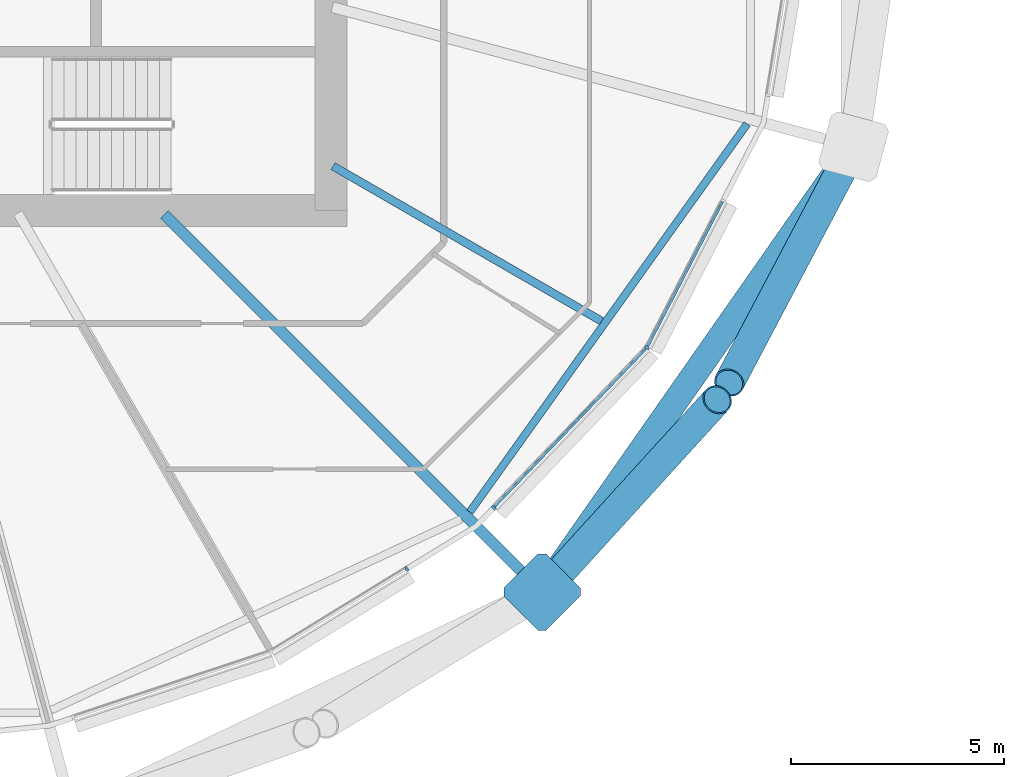
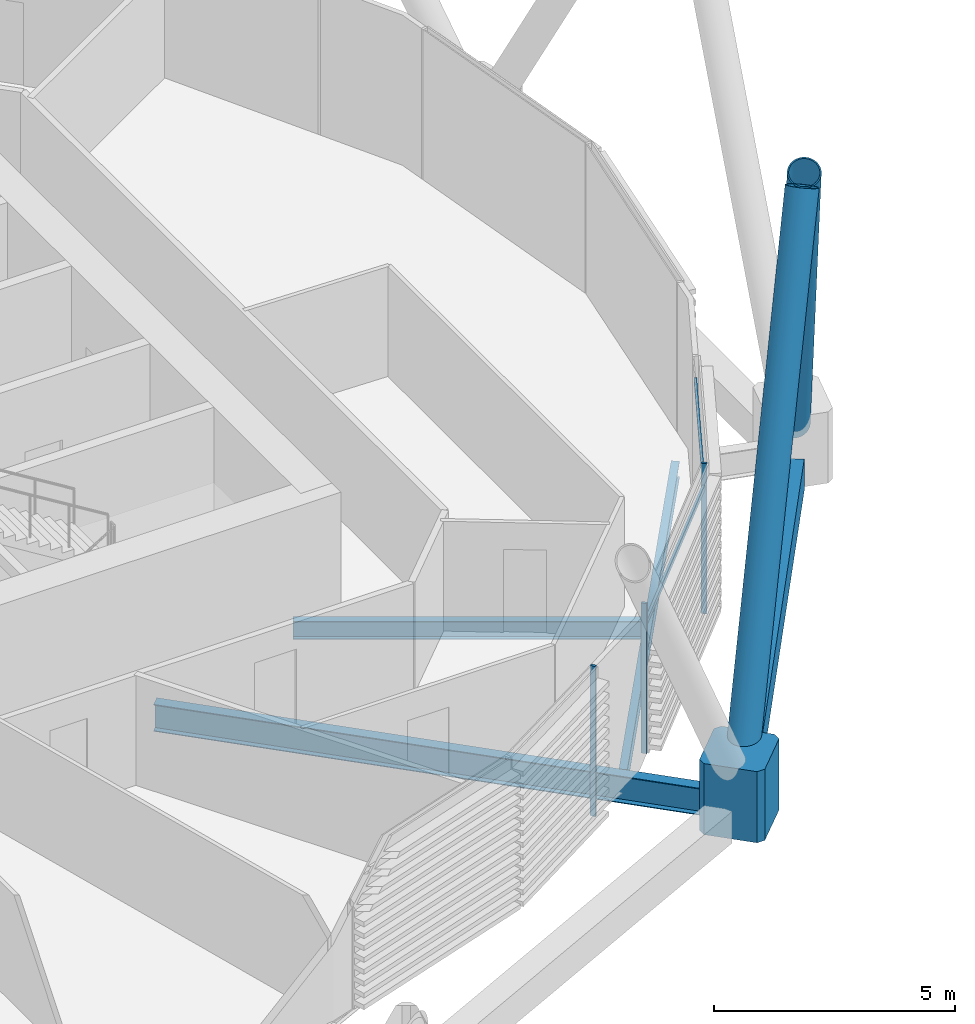
# One storey, part 6 of 39: 8 members, 4 beams, 1 element without a shape of its own.
"""IFC4 building model written with IfcOpenShell, lengths in metres."""

from ifc_helpers import new_model, si_unit, direction, frame, origin, origin_2d, place, context, subcontext, project, spatial, polyline, rectangle, hollow_rectangle, hollow_circle, i_section, outline, extrude, material, material_profile, profile_set, type_object, element, aggregate, save


model = new_model("IFC4")

# Units and contexts
model_context = context("Model", 3, precision=1e-05, world=origin(), true_north=direction((0.0, 1.0)))
body_context = subcontext(model_context, "Body", "Model", "MODEL_VIEW")
ifc_project = project(units=[si_unit("LENGTHUNIT", "METRE"), si_unit("AREAUNIT", "SQUARE_METRE"), si_unit("VOLUMEUNIT", "CUBIC_METRE"), si_unit("PLANEANGLEUNIT", "RADIAN"), si_unit("MASSUNIT", "GRAM", prefix="KILO")], contexts=[model_context])

# Site, building, storey
site_placement = place(None, origin())
site = spatial("IfcSite", under=ifc_project, at=site_placement, CompositionType="ELEMENT")
building_placement = place(site_placement, origin())
building = spatial("IfcBuilding", under=site, at=building_placement, Name="Rimbun Link Towers", CompositionType="ELEMENT")
storey_placement = place(building_placement, frame((0.0, 0.0, 115.800048828125)))
storey = spatial("IfcBuildingStorey", under=building, at=storey_placement, Name="L28", CompositionType="ELEMENT", Elevation=115.800048828125)

# Curtain wall, members
ifc_material_1 = material(Name="Aluminium 6063-T6 and low-iron glass", Category="aluminium")
curtain_wall_type = type_object("IfcCurtainWallType", Name="CW1-Z2 unitised vision wall (zone 2)", PredefinedType="NOTDEFINED", material=ifc_material_1)
curtain_wall_placement = place(storey_placement, origin())
curtain_wall = element("IfcCurtainWall", 1, at=curtain_wall_placement, inside=storey, type_object=curtain_wall_type, Name="CW1 L28 T1", PredefinedType="NOTDEFINED")
ifc_material_2 = material(Name="Aluminium 6063-T6", Category="aluminium")
ifc_material_profile_1 = material_profile(ifc_material_2, rectangle(XDim=0.1201171875, YDim=0.06005859375, at=origin_2d()), Name="MULLION 60X120")
ifc_profile_set_1 = profile_set([ifc_material_profile_1], Name="Aluminium 6063-T6")
member_type_1 = type_object("IfcMemberType", Name="CW1 mullion 60X120", PredefinedType="MULLION", material=ifc_profile_set_1)
member_1_placement = place(storey_placement, frame((-17.97216796875, -16.410888671875, 0.0), z_axis=(0.0, 0.0, 1.0), x_axis=(0.523243332621, -0.852183322336, 0.0)))
member_1 = element("IfcMember", 2, at=member_1_placement, type_object=member_type_1, Name="CW1 mullion", PredefinedType="MULLION", context=body_context, shape_type="SweptSolid", body=[
    extrude(rectangle(XDim=0.1201171875, YDim=0.06005859375, at=origin_2d()), origin(), (0.0, 0.0, 1.0), 3.800048828125),
])
member_2_placement = place(storey_placement, frame((-12.32763671875, -11.22021484375, 0.0), z_axis=(0.0, 0.0, 1.0), x_axis=(0.813347990418, -0.581777488807, 0.0)))
member_2 = element("IfcMember", 3, at=member_2_placement, type_object=member_type_1, Name="CW1 mullion", PredefinedType="MULLION", context=body_context, shape_type="SweptSolid", body=[
    extrude(rectangle(XDim=0.1201171875, YDim=0.06005859375, at=origin_2d()), origin(), (0.0, 0.0, 1.0), 3.800048828125),
])
member_3_placement = place(storey_placement, frame((-15.92578125, -14.97412109375, 0.0), z_axis=(0.0, 0.0, 1.0), x_axis=(0.721834717261, -0.692065488922, 0.0)))
member_3 = element("IfcMember", 4, at=member_3_placement, type_object=member_type_1, Name="CW1 mullion", PredefinedType="MULLION", context=body_context, shape_type="SweptSolid", body=[
    extrude(rectangle(XDim=0.1201171875, YDim=0.06005859375, at=origin_2d()), origin(), (0.0, 0.0, 1.0), 3.800048828125),
])
ifc_material_3 = material(Name="Aluminium 6063-T6", Category="aluminium")
ifc_material_profile_2 = material_profile(ifc_material_3, rectangle(XDim=0.06005859375, YDim=0.1201171875, at=origin_2d()), Name="TRANSOM 60X120")
ifc_profile_set_2 = profile_set([ifc_material_profile_2], Name="Aluminium 6063-T6")
member_type_2 = type_object("IfcMemberType", Name="CW1 transom 60X120", PredefinedType="USERDEFINED", material=ifc_profile_set_2)
member_4_placement = place(storey_placement, frame((-12.35546875, -11.2470703125, 3.199951171875), z_axis=(-0.692057260801, -0.721842605955, 0.0), x_axis=(0.721842605955, -0.692057260801, 0.0)))
member_4 = element("IfcMember", 5, at=member_4_placement, type_object=member_type_2, Name="CW1 transom", ObjectType="TRANSOM", PredefinedType="USERDEFINED", context=body_context, shape_type="SweptSolid", body=[
    extrude(rectangle(XDim=0.06005859375, YDim=0.1201171875, at=origin_2d()), origin(), (0.0, 0.0, 1.0), 5.131103515625),
])
member_5_placement = place(storey_placement, frame((-10.55712890625, -7.794921875, 3.199951171875), z_axis=(-0.459527309955, -0.888163639993, 0.0), x_axis=(0.888163639993, -0.459527309955, 0.0)))
member_5 = element("IfcMember", 6, at=member_5_placement, type_object=member_type_2, Name="CW1 transom", ObjectType="TRANSOM", PredefinedType="USERDEFINED", context=body_context, shape_type="SweptSolid", body=[
    extrude(rectangle(XDim=0.06005859375, YDim=0.1201171875, at=origin_2d()), origin(), (0.0, 0.0, 1.0), 3.8173828125),
])
aggregate(curtain_wall, [member_1, member_2, member_3, member_4, member_5])

# Members
ifc_material_4 = material(Name="Steel S460NH", Category="steel")
ifc_material_profile_3 = material_profile(ifc_material_4, hollow_circle(Radius=0.355712890625, WallThickness=0.031982421875, at=origin_2d()), Name="Diagrid diagonal CHS 711x32")
ifc_profile_set_3 = profile_set([ifc_material_profile_3], Name="Steel S460NH")
member_type_3 = type_object("IfcMemberType", Name="Diagrid diagonal CHS 711x32", PredefinedType="BRACE", material=ifc_profile_set_3)
member_6_placement = place(storey_placement, frame((-14.629638671875, -16.776611328125, 0.436767578125), z_axis=(0.327702776931, 0.359956428917, 0.873522901401), x_axis=(-0.739459655937, 0.673200874362, 0.0)))
element("IfcMember", 7, at=member_6_placement, inside=storey, type_object=member_type_3, Name="Diagrid diagonal T1 L28-L31 21b", PredefinedType="BRACE", context=body_context, shape_type="SweptSolid", body=[
    extrude(hollow_circle(Radius=0.355712890625, WallThickness=0.031982421875, at=origin_2d()), origin(), (0.0, 0.0, 1.0), 12.050537109375),
])
member_7_placement = place(storey_placement, frame((-7.594970703125, -6.722412109375, 0.43408203125), z_axis=(-0.231395162047, -0.43847108312, 0.868446537358), x_axis=(0.884401514252, -0.466726859725, 0.0)))
element("IfcMember", 8, at=member_7_placement, inside=storey, type_object=member_type_3, Name="Diagrid diagonal T1 L28-L31 23a", PredefinedType="BRACE", context=body_context, shape_type="SweptSolid", body=[
    extrude(hollow_circle(Radius=0.355712890625, WallThickness=0.031982421875, at=origin_2d()), origin(), (0.0, 0.0, 1.0), 12.127197265625),
])
ifc_material_5 = material(Name="Cast steel G20Mn5+QT, Rp0.2 300 MPa", Category="steel")
ifc_material_profile_4 = material_profile(ifc_material_5, outline(polyline([(0.699951171875, -0.570068359375), (0.699951171875, 0.570068359375), (0.570068359375, 0.699951171875), (-0.570068359375, 0.699951171875), (-0.699951171875, 0.570068359375), (-0.699951171875, -0.570068359375), (-0.570068359375, -0.699951171875), (0.570068359375, -0.699951171875), (0.699951171875, -0.570068359375)])), Name="NODE 1400x1400")
ifc_profile_set_4 = profile_set([ifc_material_profile_4], Name="Cast steel G20Mn5+QT, Rp0.2 300 MPa")
member_type_4 = type_object("IfcMemberType", Name="Diagrid node cast 1400", PredefinedType="USERDEFINED", material=ifc_profile_set_4)
member_8_placement = place(storey_placement, frame((-14.79345703125, -16.95654296875, -0.900146484375), z_axis=(0.0, 0.0, 1.0), x_axis=(0.707106781187, -0.707106781187, 0.0)))
element("IfcMember", 9, at=member_8_placement, inside=storey, type_object=member_type_4, Name="Diagrid node L28 21", ObjectType="Diagrid node", PredefinedType="USERDEFINED", context=body_context, shape_type="SweptSolid", body=[
    extrude(outline(polyline([(0.699951171875, -0.570068359375), (0.699951171875, 0.570068359375), (0.570068359375, 0.699951171875), (-0.570068359375, 0.699951171875), (-0.699951171875, 0.570068359375), (-0.699951171875, -0.570068359375), (-0.570068359375, -0.699951171875), (0.570068359375, -0.699951171875), (0.699951171875, -0.570068359375)])), origin(), (0.0, 0.0, 1.0), 1.800048828125),
])

# Beams
ifc_material_6 = material(Name="Steel S355J2", Category="steel")
ifc_material_profile_5 = material_profile(ifc_material_6, hollow_rectangle(XDim=0.60009765625, YDim=0.800048828125, WallThickness=0.0400390625, at=origin_2d()), Name="Exoskeleton ring girder BOX 600x800x40")
ifc_profile_set_5 = profile_set([ifc_material_profile_5], Name="Steel S355J2")
beam_type_1 = type_object("IfcBeamType", Name="Exoskeleton ring girder BOX 600x800x40", PredefinedType="BEAM", material=ifc_profile_set_5)
beam_1_placement = place(storey_placement, frame((-14.39208984375, -16.383056640625, -0.56005859375), z_axis=(0.573294988237, 0.819349044341, 0.0), x_axis=(-0.819349044341, 0.573294988237, 0.0)))
element("IfcBeam", 10, at=beam_1_placement, inside=storey, type_object=beam_type_1, Name="Exoskeleton ring girder L28 07", PredefinedType="BEAM", context=body_context, shape_type="SweptSolid", body=[
    extrude(hollow_rectangle(XDim=0.60009765625, YDim=0.800048828125, WallThickness=0.0400390625, at=origin_2d()), origin(), (0.0, 0.0, 1.0), 11.35791015625),
])
ifc_material_7 = material(Name="Steel S355J2", Category="steel")
ifc_material_profile_6 = material_profile(ifc_material_7, i_section(OverallWidth=0.177978515625, OverallDepth=0.406494140625, WebThickness=0.0078125, FlangeThickness=0.0126953125, at=origin_2d()), Name="UB 406x178x60")
ifc_profile_set_6 = profile_set([ifc_material_profile_6], Name="Steel S355J2")
beam_type_2 = type_object("IfcBeamType", Name="UB 406x178x60", PredefinedType="BEAM", material=ifc_profile_set_6)
beam_2_placement = place(storey_placement, frame((-16.49072265625, -15.078369140625, -0.36328125), z_axis=(0.581386649212, 0.813627411115, 0.0), x_axis=(-0.813627411115, 0.581386649212, 0.0)))
element("IfcBeam", 11, at=beam_2_placement, inside=storey, type_object=beam_type_2, Name="Edge beam T1 L28 21-23", PredefinedType="BEAM", context=body_context, shape_type="SweptSolid", body=[
    extrude(i_section(OverallWidth=0.177978515625, OverallDepth=0.406494140625, WebThickness=0.0078125, FlangeThickness=0.0126953125, at=origin_2d()), origin(), (0.0, 0.0, 1.0), 11.199951171875),
])
ifc_material_8 = material(Name="Steel S355J2", Category="steel")
ifc_material_profile_7 = material_profile(ifc_material_8, i_section(OverallWidth=0.18994140625, OverallDepth=0.453369140625, WebThickness=0.008544921875, FlangeThickness=0.0126953125, at=origin_2d()), Name="UB 457x191x67")
ifc_profile_set_7 = profile_set([ifc_material_profile_7], Name="Steel S355J2")
beam_type_3 = type_object("IfcBeamType", Name="UB 457x191x67", PredefinedType="BEAM", material=ifc_profile_set_7)
beam_3_placement = place(storey_placement, frame((-19.70166015625, -6.9560546875, -0.38671875), z_axis=(0.866028075408, -0.499995372584, 0.0), x_axis=(0.499995372584, 0.866028075408, 0.0)))
element("IfcBeam", 12, at=beam_3_placement, inside=storey, type_object=beam_type_3, Name="Radial beam T1 L28 22", PredefinedType="BEAM", context=body_context, shape_type="SweptSolid", body=[
    extrude(i_section(OverallWidth=0.18994140625, OverallDepth=0.453369140625, WebThickness=0.008544921875, FlangeThickness=0.0126953125, at=origin_2d()), origin(), (0.0, 0.0, 1.0), 7.27880859375),
])
ifc_material_9 = material(Name="Steel S355J2", Category="steel")
ifc_material_profile_8 = material_profile(ifc_material_9, i_section(OverallWidth=0.253662109375, OverallDepth=0.68359375, WebThickness=0.012451171875, FlangeThickness=0.01904296875, at=origin_2d()), Name="UB 686x254x140")
ifc_profile_set_8 = profile_set([ifc_material_profile_8], Name="Steel S355J2")
beam_type_4 = type_object("IfcBeamType", Name="UB 686x254x140", PredefinedType="BEAM", material=ifc_profile_set_8)
beam_4_placement = place(storey_placement, frame((-23.65966796875, -8.09033203125, -0.501953125), z_axis=(0.707106781187, -0.707106781187, 0.0), x_axis=(0.707106781187, 0.707106781187, 0.0)))
element("IfcBeam", 13, at=beam_4_placement, inside=storey, type_object=beam_type_4, Name="Radial beam T1 L28 21", PredefinedType="BEAM", context=body_context, shape_type="SweptSolid", body=[
    extrude(i_section(OverallWidth=0.253662109375, OverallDepth=0.68359375, WebThickness=0.012451171875, FlangeThickness=0.01904296875, at=origin_2d()), origin(), (0.0, 0.0, 1.0), 12.038818359375),
])

save(model, "model.ifc")
